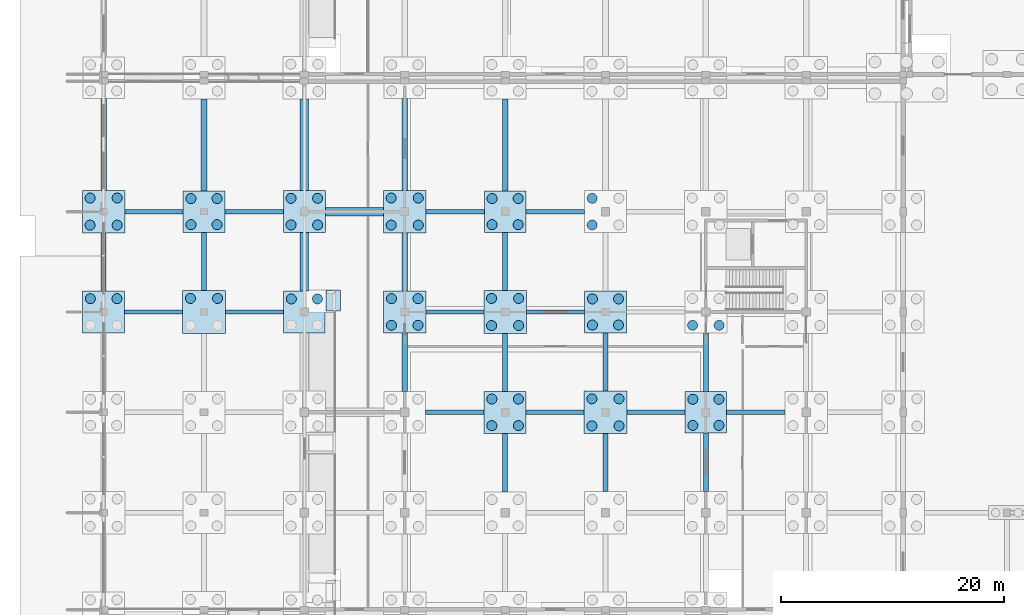
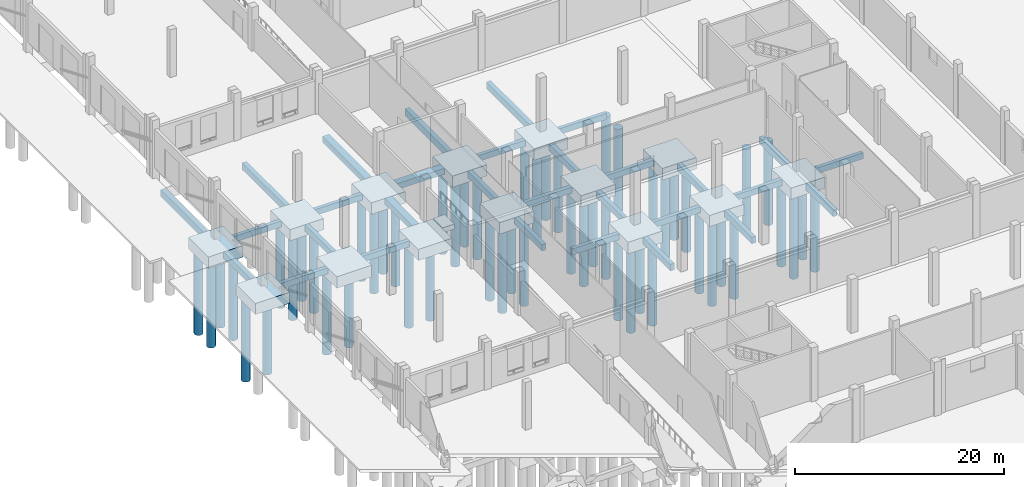
# One storey, part 8 of 99: 54 piles, 45 footings.
"""IFC4 building model written with IfcOpenShell, lengths in metres."""

from ifc_helpers import new_model, si_unit, direction, frame, origin, origin_2d, place, context, subcontext, project, spatial, polyline, rectangle, circle, outline, extrude, material, layer, layer_set, material_profile, profile_set, type_object, element, save


model = new_model("IFC4")

# Units and contexts
model_context = context("Model", 3, precision=1e-05, world=origin(), true_north=direction((0.0, 1.0)))
body_context = subcontext(model_context, "Body", "Model", "MODEL_VIEW")
ifc_project = project(units=[si_unit("LENGTHUNIT", "METRE"), si_unit("AREAUNIT", "SQUARE_METRE"), si_unit("VOLUMEUNIT", "CUBIC_METRE"), si_unit("PLANEANGLEUNIT", "RADIAN"), si_unit("MASSUNIT", "GRAM", prefix="KILO")], contexts=[model_context])

# Site, building, storey
site_placement = place(None, origin())
site = spatial("IfcSite", under=ifc_project, at=site_placement, CompositionType="ELEMENT")
building_placement = place(site_placement, origin())
building = spatial("IfcBuilding", under=site, at=building_placement, Name="Zacnel Wholesale Market", CompositionType="ELEMENT")
storey_placement = place(building_placement, origin())
storey = spatial("IfcBuildingStorey", under=building, at=storey_placement, Name="L01", CompositionType="ELEMENT", Elevation=0.0)

# Footings
ifc_material_1 = material(Name="Concrete C35/45", Category="concrete")
ifc_material_profile_1 = material_profile(ifc_material_1, rectangle(XDim=0.39990234375, YDim=0.699951171875, at=origin_2d()), Name="CT 400x700")
ifc_profile_set_1 = profile_set([ifc_material_profile_1], Name="Concrete C35/45")
footing_type_1 = type_object("IfcFootingType", Name="FTG-CT400X700", PredefinedType="FOOTING_BEAM", material=ifc_profile_set_1)
footing_1_placement = place(storey_placement, frame((28.8701171875, 66.0, -0.85009765625), z_axis=(1.0, 0.0, 0.0), x_axis=(0.0, 1.0, 0.0)))
element("IfcFooting", 1, at=footing_1_placement, inside=storey, type_object=footing_type_1, Name="Ground tie beam CT-X-0403", PredefinedType="FOOTING_BEAM", context=body_context, shape_type="SweptSolid", body=[
    extrude(rectangle(XDim=0.39990234375, YDim=0.699951171875, at=origin_2d()), origin(), (0.0, 0.0, 1.0), 5.239990234375),
])
footing_2_placement = place(storey_placement, frame((37.889892578125, 66.0, -0.85009765625), z_axis=(1.0, 0.0, 0.0), x_axis=(0.0, 1.0, 0.0)))
element("IfcFooting", 2, at=footing_2_placement, inside=storey, type_object=footing_type_1, Name="Ground tie beam CT-X-0404", PredefinedType="FOOTING_BEAM", context=body_context, shape_type="SweptSolid", body=[
    extrude(rectangle(XDim=0.39990234375, YDim=0.699951171875, at=origin_2d()), origin(), (0.0, 0.0, 1.0), 5.195068359375),
])
footing_3_placement = place(storey_placement, frame((46.9150390625, 66.0, -0.85009765625), z_axis=(1.0, 0.0, 0.0), x_axis=(0.0, 1.0, 0.0)))
element("IfcFooting", 3, at=footing_3_placement, inside=storey, type_object=footing_type_1, Name="Ground tie beam CT-X-0405", PredefinedType="FOOTING_BEAM", context=body_context, shape_type="SweptSolid", body=[
    extrude(rectangle(XDim=0.39990234375, YDim=0.699951171875, at=origin_2d()), origin(), (0.0, 0.0, 1.0), 5.21484375),
])
footing_4_placement = place(storey_placement, frame((55.8701171875, 66.0, -0.85009765625), z_axis=(1.0, 0.0, 0.0), x_axis=(0.0, 1.0, 0.0)))
element("IfcFooting", 4, at=footing_4_placement, inside=storey, type_object=footing_type_1, Name="Ground tie beam CT-X-0406", PredefinedType="FOOTING_BEAM", context=body_context, shape_type="SweptSolid", body=[
    extrude(rectangle(XDim=0.39990234375, YDim=0.699951171875, at=origin_2d()), origin(), (0.0, 0.0, 1.0), 5.239990234375),
])
footing_5_placement = place(storey_placement, frame((1.889892578125, 75.0, -0.85009765625), z_axis=(1.0, 0.0, 0.0), x_axis=(0.0, 1.0, 0.0)))
element("IfcFooting", 5, at=footing_5_placement, inside=storey, type_object=footing_type_1, Name="Ground tie beam CT-X-0411", PredefinedType="FOOTING_BEAM", context=body_context, shape_type="SweptSolid", body=[
    extrude(rectangle(XDim=0.39990234375, YDim=0.699951171875, at=origin_2d()), origin(), (0.0, 0.0, 1.0), 5.195068359375),
])
footing_6_placement = place(storey_placement, frame((10.9150390625, 75.0, -0.85009765625), z_axis=(1.0, 0.0, 0.0), x_axis=(0.0, 1.0, 0.0)))
element("IfcFooting", 6, at=footing_6_placement, inside=storey, type_object=footing_type_1, Name="Ground tie beam CT-X-0412", PredefinedType="FOOTING_BEAM", context=body_context, shape_type="SweptSolid", body=[
    extrude(rectangle(XDim=0.39990234375, YDim=0.699951171875, at=origin_2d()), origin(), (0.0, 0.0, 1.0), 5.21484375),
])
footing_7_placement = place(storey_placement, frame((28.889892578125, 75.0, -0.85009765625), z_axis=(1.0, 0.0, 0.0), x_axis=(0.0, 1.0, 0.0)))
element("IfcFooting", 7, at=footing_7_placement, inside=storey, type_object=footing_type_1, Name="Ground tie beam CT-X-0413", PredefinedType="FOOTING_BEAM", context=body_context, shape_type="SweptSolid", body=[
    extrude(rectangle(XDim=0.39990234375, YDim=0.699951171875, at=origin_2d()), origin(), (0.0, 0.0, 1.0), 5.195068359375),
])
for number, where, z_axis, x_axis, name in (
    (8, (37.9150390625, 75.0, -0.85009765625), (1.0, 0.0, 0.0), (0.0, 1.0, 0.0), "Ground tie beam CT-X-0414"),
    (9, (1.9150390625, 84.0, -0.85009765625), (1.0, 0.0, 0.0), (0.0, 1.0, 0.0), "Ground tie beam CT-X-0421"),
):
    element("IfcFooting", number, at=place(storey_placement, frame(where, z_axis=z_axis, x_axis=x_axis)), inside=storey, type_object=footing_type_1, Name=name, PredefinedType="FOOTING_BEAM", context=body_context, shape_type="SweptSolid", body=[
        extrude(rectangle(XDim=0.39990234375, YDim=0.699951171875, at=origin_2d()), origin(), (0.0, 0.0, 1.0), 5.21484375),
    ])
footing_8_placement = place(storey_placement, frame((10.8701171875, 84.0, -0.85009765625), z_axis=(1.0, 0.0, 0.0), x_axis=(0.0, 1.0, 0.0)))
element("IfcFooting", 10, at=footing_8_placement, inside=storey, type_object=footing_type_1, Name="Ground tie beam CT-X-0422", PredefinedType="FOOTING_BEAM", context=body_context, shape_type="SweptSolid", body=[
    extrude(rectangle(XDim=0.39990234375, YDim=0.699951171875, at=origin_2d()), origin(), (0.0, 0.0, 1.0), 5.239990234375),
])
footing_9_placement = place(storey_placement, frame((28.9150390625, 84.0, -0.85009765625), z_axis=(1.0, 0.0, 0.0), x_axis=(0.0, 1.0, 0.0)))
element("IfcFooting", 11, at=footing_9_placement, inside=storey, type_object=footing_type_1, Name="Ground tie beam CT-X-0423", PredefinedType="FOOTING_BEAM", context=body_context, shape_type="SweptSolid", body=[
    extrude(rectangle(XDim=0.39990234375, YDim=0.699951171875, at=origin_2d()), origin(), (0.0, 0.0, 1.0), 5.21484375),
])
footing_10_placement = place(storey_placement, frame((37.8701171875, 84.0, -0.85009765625), z_axis=(1.0, 0.0, 0.0), x_axis=(0.0, 1.0, 0.0)))
element("IfcFooting", 12, at=footing_10_placement, inside=storey, type_object=footing_type_1, Name="Ground tie beam CT-X-0424", PredefinedType="FOOTING_BEAM", context=body_context, shape_type="SweptSolid", body=[
    extrude(rectangle(XDim=0.39990234375, YDim=0.699951171875, at=origin_2d()), origin(), (0.0, 0.0, 1.0), 5.239990234375),
])
ifc_material_2 = material(Name="Concrete C35/45", Category="concrete")
ifc_material_profile_2 = material_profile(ifc_material_2, rectangle(XDim=0.449951171875, YDim=0.75, at=origin_2d()), Name="CT 450x750")
ifc_profile_set_2 = profile_set([ifc_material_profile_2], Name="Concrete C35/45")
footing_type_2 = type_object("IfcFootingType", Name="FTG-CT450X750", PredefinedType="FOOTING_BEAM", material=ifc_profile_set_2)
footing_11_placement = place(storey_placement, frame((0.0, 76.889892578125, -0.875), z_axis=(0.0, 1.0, 0.0), x_axis=(-1.0, 0.0, 0.0)))
element("IfcFooting", 13, at=footing_11_placement, inside=storey, type_object=footing_type_2, Name="Ground tie beam CT-Y-0007", PredefinedType="FOOTING_BEAM", context=body_context, shape_type="SweptSolid", body=[
    extrude(rectangle(XDim=0.449951171875, YDim=0.75, at=origin_2d()), origin(), (0.0, 0.0, 1.0), 5.195068359375),
])
footing_12_placement = place(storey_placement, frame((9.0, 76.9150390625, -0.875), z_axis=(0.0, 1.0, 0.0), x_axis=(-1.0, 0.0, 0.0)))
element("IfcFooting", 14, at=footing_12_placement, inside=storey, type_object=footing_type_2, Name="Ground tie beam CT-Y-0019", PredefinedType="FOOTING_BEAM", context=body_context, shape_type="SweptSolid", body=[
    extrude(rectangle(XDim=0.449951171875, YDim=0.75, at=origin_2d()), origin(), (0.0, 0.0, 1.0), 5.21484375),
])
footing_13_placement = place(storey_placement, frame((27.0, 67.8701171875, -0.875), z_axis=(0.0, 1.0, 0.0), x_axis=(-1.0, 0.0, 0.0)))
element("IfcFooting", 15, at=footing_13_placement, inside=storey, type_object=footing_type_2, Name="Ground tie beam CT-Y-0029", PredefinedType="FOOTING_BEAM", context=body_context, shape_type="SweptSolid", body=[
    extrude(rectangle(XDim=0.449951171875, YDim=0.75, at=origin_2d()), origin(), (0.0, 0.0, 1.0), 5.239990234375),
])
footing_14_placement = place(storey_placement, frame((27.0, 76.889892578125, -0.875), z_axis=(0.0, 1.0, 0.0), x_axis=(-1.0, 0.0, 0.0)))
element("IfcFooting", 16, at=footing_14_placement, inside=storey, type_object=footing_type_2, Name="Ground tie beam CT-Y-0030", PredefinedType="FOOTING_BEAM", context=body_context, shape_type="SweptSolid", body=[
    extrude(rectangle(XDim=0.449951171875, YDim=0.75, at=origin_2d()), origin(), (0.0, 0.0, 1.0), 5.195068359375),
])
footing_15_placement = place(storey_placement, frame((36.0, 58.8701171875, -0.875), z_axis=(0.0, 1.0, 0.0), x_axis=(-1.0, 0.0, 0.0)))
element("IfcFooting", 17, at=footing_15_placement, inside=storey, type_object=footing_type_2, Name="Ground tie beam CT-Y-0038", PredefinedType="FOOTING_BEAM", context=body_context, shape_type="SweptSolid", body=[
    extrude(rectangle(XDim=0.449951171875, YDim=0.75, at=origin_2d()), origin(), (0.0, 0.0, 1.0), 5.239990234375),
])
footing_16_placement = place(storey_placement, frame((36.0, 67.889892578125, -0.875), z_axis=(0.0, 1.0, 0.0), x_axis=(-1.0, 0.0, 0.0)))
element("IfcFooting", 18, at=footing_16_placement, inside=storey, type_object=footing_type_2, Name="Ground tie beam CT-Y-0039", PredefinedType="FOOTING_BEAM", context=body_context, shape_type="SweptSolid", body=[
    extrude(rectangle(XDim=0.449951171875, YDim=0.75, at=origin_2d()), origin(), (0.0, 0.0, 1.0), 5.195068359375),
])
footing_17_placement = place(storey_placement, frame((36.0, 76.9150390625, -0.875), z_axis=(0.0, 1.0, 0.0), x_axis=(-1.0, 0.0, 0.0)))
element("IfcFooting", 19, at=footing_17_placement, inside=storey, type_object=footing_type_2, Name="Ground tie beam CT-Y-0040", PredefinedType="FOOTING_BEAM", context=body_context, shape_type="SweptSolid", body=[
    extrude(rectangle(XDim=0.449951171875, YDim=0.75, at=origin_2d()), origin(), (0.0, 0.0, 1.0), 5.21484375),
])
footing_18_placement = place(storey_placement, frame((45.0, 58.889892578125, -0.875), z_axis=(0.0, 1.0, 0.0), x_axis=(-1.0, 0.0, 0.0)))
element("IfcFooting", 20, at=footing_18_placement, inside=storey, type_object=footing_type_2, Name="Ground tie beam CT-Y-0049", PredefinedType="FOOTING_BEAM", context=body_context, shape_type="SweptSolid", body=[
    extrude(rectangle(XDim=0.449951171875, YDim=0.75, at=origin_2d()), origin(), (0.0, 0.0, 1.0), 5.195068359375),
])
for number, where, z_axis, x_axis, name in (
    (21, (45.0, 67.9150390625, -0.875), (0.0, 1.0, 0.0), (-1.0, 0.0, 0.0), "Ground tie beam CT-Y-0050"),
    (22, (54.0, 58.9150390625, -0.875), (0.0, 1.0, 0.0), (-1.0, 0.0, 0.0), "Ground tie beam CT-Y-0065"),
):
    element("IfcFooting", number, at=place(storey_placement, frame(where, z_axis=z_axis, x_axis=x_axis)), inside=storey, type_object=footing_type_2, Name=name, PredefinedType="FOOTING_BEAM", context=body_context, shape_type="SweptSolid", body=[
        extrude(rectangle(XDim=0.449951171875, YDim=0.75, at=origin_2d()), origin(), (0.0, 0.0, 1.0), 5.21484375),
    ])
footing_19_placement = place(storey_placement, frame((54.0, 67.8701171875, -0.875), z_axis=(0.0, 1.0, 0.0), x_axis=(-1.0, 0.0, 0.0)))
element("IfcFooting", 23, at=footing_19_placement, inside=storey, type_object=footing_type_2, Name="Ground tie beam CT-Y-0066", PredefinedType="FOOTING_BEAM", context=body_context, shape_type="SweptSolid", body=[
    extrude(rectangle(XDim=0.449951171875, YDim=0.75, at=origin_2d()), origin(), (0.0, 0.0, 1.0), 5.239990234375),
])
ifc_material_3 = material(Name="Concrete C35/45", Category="concrete")
ifc_material_profile_3 = material_profile(ifc_material_3, rectangle(XDim=0.5, YDim=0.800048828125, at=origin_2d()), Name="CT 500x800")
ifc_profile_set_3 = profile_set([ifc_material_profile_3], Name="Concrete C35/45")
footing_type_3 = type_object("IfcFootingType", Name="FTG-CT500X800", PredefinedType="FOOTING_BEAM", material=ifc_profile_set_3)
footing_20_placement = place(storey_placement, frame((0.0, 85.9150390625, -0.89990234375), z_axis=(0.0, 1.0, 0.0), x_axis=(-1.0, 0.0, 0.0)))
element("IfcFooting", 24, at=footing_20_placement, inside=storey, type_object=footing_type_3, Name="Ground tie beam CT-Y-0008", PredefinedType="FOOTING_BEAM", context=body_context, shape_type="SweptSolid", body=[
    extrude(rectangle(XDim=0.5, YDim=0.800048828125, at=origin_2d()), origin(), (0.0, 0.0, 1.0), 8.21484375),
])
footing_21_placement = place(storey_placement, frame((9.0, 85.8701171875, -0.89990234375), z_axis=(0.0, 1.0, 0.0), x_axis=(-1.0, 0.0, 0.0)))
element("IfcFooting", 25, at=footing_21_placement, inside=storey, type_object=footing_type_3, Name="Ground tie beam CT-Y-0020", PredefinedType="FOOTING_BEAM", context=body_context, shape_type="SweptSolid", body=[
    extrude(rectangle(XDim=0.5, YDim=0.800048828125, at=origin_2d()), origin(), (0.0, 0.0, 1.0), 8.239990234375),
])
footing_22_placement = place(storey_placement, frame((27.0, 85.9150390625, -0.89990234375), z_axis=(0.0, 1.0, 0.0), x_axis=(-1.0, 0.0, 0.0)))
element("IfcFooting", 26, at=footing_22_placement, inside=storey, type_object=footing_type_3, Name="Ground tie beam CT-Y-0031", PredefinedType="FOOTING_BEAM", context=body_context, shape_type="SweptSolid", body=[
    extrude(rectangle(XDim=0.5, YDim=0.800048828125, at=origin_2d()), origin(), (0.0, 0.0, 1.0), 8.21484375),
])
footing_23_placement = place(storey_placement, frame((36.0, 85.8701171875, -0.89990234375), z_axis=(0.0, 1.0, 0.0), x_axis=(-1.0, 0.0, 0.0)))
element("IfcFooting", 27, at=footing_23_placement, inside=storey, type_object=footing_type_3, Name="Ground tie beam CT-Y-0041", PredefinedType="FOOTING_BEAM", context=body_context, shape_type="SweptSolid", body=[
    extrude(rectangle(XDim=0.5, YDim=0.800048828125, at=origin_2d()), origin(), (0.0, 0.0, 1.0), 8.239990234375),
])
ifc_material_4 = material(Name="Concrete C35/45", Category="concrete")
ifc_layer_1 = layer(ifc_material_4, 1.0)
ifc_layer_set_1 = layer_set([ifc_layer_1], Name="Concrete C35/45")
footing_type_4 = type_object("IfcFootingType", Name="FTG-PAD-2400X1800", PredefinedType="PAD_FOOTING", material=ifc_layer_set_1)
footing_24_placement = place(storey_placement, frame((0.0, 0.0, -1.10009765625)))
element("IfcFooting", 28, at=footing_24_placement, inside=storey, type_object=footing_type_4, Name="Accessible ramp RP-01 (RMP-DOCK-M) pad footing", PredefinedType="PAD_FOOTING", context=body_context, shape_type="SweptSolid", body=[
    extrude(outline(polyline([(21.25, 75.10009765625), (21.25, 76.949951171875), (19.949951171875, 76.949951171875), (19.949951171875, 75.10009765625), (21.25, 75.10009765625)])), origin(), (0.0, 0.0, 1.0), 0.60009765625),
])
footing_25_placement = place(storey_placement, frame((0.0, 0.0, -1.199951171875)))
element("IfcFooting", 29, at=footing_25_placement, inside=storey, type_object=footing_type_4, Name="Shear wall strip footing 02", PredefinedType="PAD_FOOTING", context=body_context, shape_type="SweptSolid", body=[
    extrude(outline(polyline([(19.89208984375, 83.625), (19.89208984375, 84.375), (25.0830078125, 84.375), (25.0830078125, 83.625), (19.89208984375, 83.625)])), origin(), (0.0, 0.0, 1.0), 0.699951171875),
])
ifc_material_5 = material(Name="Concrete C35/45", Category="concrete")
ifc_layer_2 = layer(ifc_material_5, 1.300048828125)
ifc_layer_set_2 = layer_set([ifc_layer_2], Name="Concrete C35/45")
footing_type_5 = type_object("IfcFootingType", Name="FTG-PC-3740X3740X1300", PredefinedType="PILE_CAP", material=ifc_layer_set_2)
for number, where, z_axis, x_axis, name in (
    (30, (9.0, 84.0, -1.7998046875), (0.0, 0.0, 1.0), (1.0, 0.0, 0.0), "Pile cap PC-03 (STR-PC-021)"),
    (31, (18.0, 75.0, -1.7998046875), (0.0, 0.0, 1.0), (1.0, 0.0, 0.0), "Pile cap PC-03 (STR-PC-033)"),
    (32, (54.0, 66.0, -1.7998046875), (0.0, 0.0, 1.0), (1.0, 0.0, 0.0), "Pile cap PC-03 (STR-PC-087)"),
):
    element("IfcFooting", number, at=place(storey_placement, frame(where, z_axis=z_axis, x_axis=x_axis)), inside=storey, type_object=footing_type_5, Name=name, PredefinedType="PILE_CAP", context=body_context, shape_type="SweptSolid", body=[
        extrude(rectangle(XDim=3.739990234375, YDim=3.739990234375, at=origin_2d()), origin(), (0.0, 0.0, 1.0), 1.300048828125),
    ])
ifc_material_6 = material(Name="Concrete C35/45", Category="concrete")
ifc_layer_3 = layer(ifc_material_6, 1.35009765625)
ifc_layer_set_3 = layer_set([ifc_layer_3], Name="Concrete C35/45")
footing_type_6 = type_object("IfcFootingType", Name="FTG-PC-3740X3740X1350", PredefinedType="PILE_CAP", material=ifc_layer_set_3)
for number, where, z_axis, x_axis, name in (
    (33, (36.0, 84.0, -1.85009765625), (0.0, 0.0, 1.0), (1.0, 0.0, 0.0), "Pile cap PC-06 (STR-PC-060)"),
    (34, (45.0, 75.0, -1.85009765625), (0.0, 0.0, 1.0), (1.0, 0.0, 0.0), "Pile cap PC-06 (STR-PC-072)"),
):
    element("IfcFooting", number, at=place(storey_placement, frame(where, z_axis=z_axis, x_axis=x_axis)), inside=storey, type_object=footing_type_6, Name=name, PredefinedType="PILE_CAP", context=body_context, shape_type="SweptSolid", body=[
        extrude(rectangle(XDim=3.739990234375, YDim=3.739990234375, at=origin_2d()), origin(), (0.0, 0.0, 1.0), 1.35009765625),
    ])
ifc_material_7 = material(Name="Concrete C35/45", Category="concrete")
ifc_layer_4 = layer(ifc_material_7, 1.300048828125)
ifc_layer_set_4 = layer_set([ifc_layer_4], Name="Concrete C35/45")
footing_type_7 = type_object("IfcFootingType", Name="FTG-PC-3780X3780X1300", PredefinedType="PILE_CAP", material=ifc_layer_set_4)
footing_26_placement = place(storey_placement, frame((0.0, 75.0, -1.7998046875), z_axis=(0.0, 0.0, 1.0), x_axis=(1.0, 0.0, 0.0)))
element("IfcFooting", 35, at=footing_26_placement, inside=storey, type_object=footing_type_7, Name="Pile cap PC-01 (STR-PC-007)", PredefinedType="PILE_CAP", context=body_context, shape_type="SweptSolid", body=[
    extrude(rectangle(XDim=3.780029296875, YDim=3.780029296875, at=origin_2d()), origin(), (0.0, 0.0, 1.0), 1.300048828125),
])
ifc_material_8 = material(Name="Concrete C35/45", Category="concrete")
ifc_layer_5 = layer(ifc_material_8, 1.35009765625)
ifc_layer_set_5 = layer_set([ifc_layer_5], Name="Concrete C35/45")
footing_type_8 = type_object("IfcFootingType", Name="FTG-PC-3780X3780X1350", PredefinedType="PILE_CAP", material=ifc_layer_set_5)
for number, where, z_axis, x_axis, name in (
    (36, (18.0, 84.0, -1.85009765625), (0.0, 0.0, 1.0), (1.0, 0.0, 0.0), "Pile cap PC-04 (STR-PC-034)"),
    (37, (27.0, 75.0, -1.85009765625), (0.0, 0.0, 1.0), (1.0, 0.0, 0.0), "Pile cap PC-04 (STR-PC-046)"),
    (38, (36.0, 66.0, -1.85009765625), (0.0, 0.0, 1.0), (1.0, 0.0, 0.0), "Pile cap PC-04 (STR-PC-058)"),
):
    element("IfcFooting", number, at=place(storey_placement, frame(where, z_axis=z_axis, x_axis=x_axis)), inside=storey, type_object=footing_type_8, Name=name, PredefinedType="PILE_CAP", context=body_context, shape_type="SweptSolid", body=[
        extrude(rectangle(XDim=3.780029296875, YDim=3.780029296875, at=origin_2d()), origin(), (0.0, 0.0, 1.0), 1.35009765625),
    ])
ifc_material_9 = material(Name="Concrete C35/45", Category="concrete")
ifc_layer_6 = layer(ifc_material_9, 1.300048828125)
ifc_layer_set_6 = layer_set([ifc_layer_6], Name="Concrete C35/45")
footing_type_9 = type_object("IfcFootingType", Name="FTG-PC-3830X3830X1300", PredefinedType="PILE_CAP", material=ifc_layer_set_6)
for number, where, z_axis, x_axis, name in (
    (39, (27.0, 84.0, -1.7998046875), (0.0, 0.0, 1.0), (1.0, 0.0, 0.0), "Pile cap PC-05 (STR-PC-047)"),
    (40, (36.0, 75.0, -1.7998046875), (0.0, 0.0, 1.0), (1.0, 0.0, 0.0), "Pile cap PC-05 (STR-PC-059)"),
    (41, (45.0, 66.0, -1.7998046875), (0.0, 0.0, 1.0), (1.0, 0.0, 0.0), "Pile cap PC-05 (STR-PC-071)"),
):
    element("IfcFooting", number, at=place(storey_placement, frame(where, z_axis=z_axis, x_axis=x_axis)), inside=storey, type_object=footing_type_9, Name=name, PredefinedType="PILE_CAP", context=body_context, shape_type="SweptSolid", body=[
        extrude(rectangle(XDim=3.830078125, YDim=3.830078125, at=origin_2d()), origin(), (0.0, 0.0, 1.0), 1.300048828125),
    ])
ifc_material_10 = material(Name="Concrete C35/45", Category="concrete")
ifc_layer_7 = layer(ifc_material_10, 1.35009765625)
ifc_layer_set_7 = layer_set([ifc_layer_7], Name="Concrete C35/45")
footing_type_10 = type_object("IfcFootingType", Name="FTG-PC-3830X3830X1350", PredefinedType="PILE_CAP", material=ifc_layer_set_7)
for number, where, z_axis, x_axis, name in (
    (42, (0.0, 84.0, -1.85009765625), (0.0, 0.0, 1.0), (1.0, 0.0, 0.0), "Pile cap PC-02 (STR-PC-008)"),
    (43, (9.0, 75.0, -1.85009765625), (0.0, 0.0, 1.0), (1.0, 0.0, 0.0), "Pile cap PC-02 (STR-PC-020)"),
):
    element("IfcFooting", number, at=place(storey_placement, frame(where, z_axis=z_axis, x_axis=x_axis)), inside=storey, type_object=footing_type_10, Name=name, PredefinedType="PILE_CAP", context=body_context, shape_type="SweptSolid", body=[
        extrude(rectangle(XDim=3.830078125, YDim=3.830078125, at=origin_2d()), origin(), (0.0, 0.0, 1.0), 1.35009765625),
    ])
ifc_material_11 = material(Name="Concrete C35/45", Category="concrete")
ifc_layer_8 = layer(ifc_material_11, 0.699951171875)
ifc_layer_set_8 = layer_set([ifc_layer_8], Name="Concrete C35/45")
footing_type_11 = type_object("IfcFootingType", Name="FTG-STRIP-750X700", PredefinedType="STRIP_FOOTING", material=ifc_layer_set_8)
footing_27_placement = place(storey_placement, frame((0.0, 0.0, -1.199951171875)))
element("IfcFooting", 44, at=footing_27_placement, inside=storey, type_object=footing_type_11, Name="Dock step strip footing 007", PredefinedType="STRIP_FOOTING", context=body_context, shape_type="SweptSolid", body=[
    extrude(outline(polyline([(18.375, 76.87109375), (18.375, 82.10888671875), (17.625, 82.10888671875), (17.625, 76.87109375), (18.375, 76.87109375)])), origin(), (0.0, 0.0, 1.0), 0.699951171875),
])
footing_28_placement = place(storey_placement, frame((0.0, 0.0, -1.199951171875)))
element("IfcFooting", 45, at=footing_28_placement, inside=storey, type_object=footing_type_11, Name="Dock step strip footing 008", PredefinedType="STRIP_FOOTING", context=body_context, shape_type="SweptSolid", body=[
    extrude(outline(polyline([(18.375, 85.89111328125), (18.375, 94.083984375), (17.625, 94.083984375), (17.625, 85.89111328125), (18.375, 85.89111328125)])), origin(), (0.0, 0.0, 1.0), 0.699951171875),
])

# Piles
ifc_material_12 = material(Name="Concrete C35/45", Category="concrete")
ifc_material_profile_4 = material_profile(ifc_material_12, circle(Radius=0.449951171875, at=origin_2d()), Name="BORED PILE D900")
ifc_profile_set_4 = profile_set([ifc_material_profile_4], Name="Concrete C35/45")
pile_type = type_object("IfcPileType", Name="PILE-BORED-900", PredefinedType="BORED", material=ifc_profile_set_4)
for number, where, z_axis, x_axis, name in (
    (46, (-1.1923828125, 76.1923828125, -1.699951171875), (0.0, 0.0, -1.0), (1.0, 0.0, 0.0), "Bored pile STR-PILE-007-02"),
    (47, (1.1923828125, 76.1923828125, -1.699951171875), (0.0, 0.0, -1.0), (1.0, 0.0, 0.0), "Bored pile STR-PILE-007-04"),
):
    element("IfcPile", number, at=place(storey_placement, frame(where, z_axis=z_axis, x_axis=x_axis)), inside=storey, type_object=pile_type, Name=name, PredefinedType="BORED", context=body_context, shape_type="SweptSolid", body=[
        extrude(circle(Radius=0.449951171875, at=origin_2d()), origin(), (0.0, 0.0, 1.0), 9.800048828125),
    ])
for number, where, z_axis, x_axis, name in (
    (48, (-1.215087890625, 82.784912109375, -1.75), (0.0, 0.0, -1.0), (1.0, 0.0, 0.0), "Bored pile STR-PILE-008-01"),
    (49, (-1.215087890625, 85.215087890625, -1.75), (0.0, 0.0, -1.0), (1.0, 0.0, 0.0), "Bored pile STR-PILE-008-02"),
    (50, (1.215087890625, 82.784912109375, -1.75), (0.0, 0.0, -1.0), (1.0, 0.0, 0.0), "Bored pile STR-PILE-008-03"),
    (51, (1.215087890625, 85.215087890625, -1.75), (0.0, 0.0, -1.0), (1.0, 0.0, 0.0), "Bored pile STR-PILE-008-04"),
    (52, (7.784912109375, 76.215087890625, -1.75), (0.0, 0.0, -1.0), (1.0, 0.0, 0.0), "Bored pile STR-PILE-020-02"),
    (53, (10.215087890625, 76.215087890625, -1.75), (0.0, 0.0, -1.0), (1.0, 0.0, 0.0), "Bored pile STR-PILE-020-04"),
):
    element("IfcPile", number, at=place(storey_placement, frame(where, z_axis=z_axis, x_axis=x_axis)), inside=storey, type_object=pile_type, Name=name, PredefinedType="BORED", context=body_context, shape_type="SweptSolid", body=[
        extrude(circle(Radius=0.449951171875, at=origin_2d()), origin(), (0.0, 0.0, 1.0), 9.75),
    ])
for number, where, z_axis, x_axis, name in (
    (54, (7.830078125, 82.830078125, -1.699951171875), (0.0, 0.0, -1.0), (1.0, 0.0, 0.0), "Bored pile STR-PILE-021-01"),
    (55, (7.830078125, 85.169921875, -1.699951171875), (0.0, 0.0, -1.0), (1.0, 0.0, 0.0), "Bored pile STR-PILE-021-02"),
    (56, (10.169921875, 82.830078125, -1.699951171875), (0.0, 0.0, -1.0), (1.0, 0.0, 0.0), "Bored pile STR-PILE-021-03"),
    (57, (10.169921875, 85.169921875, -1.699951171875), (0.0, 0.0, -1.0), (1.0, 0.0, 0.0), "Bored pile STR-PILE-021-04"),
    (58, (16.830078125, 76.169921875, -1.699951171875), (0.0, 0.0, -1.0), (1.0, 0.0, 0.0), "Bored pile STR-PILE-033-02"),
    (59, (19.169921875, 76.169921875, -1.699951171875), (0.0, 0.0, -1.0), (1.0, 0.0, 0.0), "Bored pile STR-PILE-033-04"),
):
    element("IfcPile", number, at=place(storey_placement, frame(where, z_axis=z_axis, x_axis=x_axis)), inside=storey, type_object=pile_type, Name=name, PredefinedType="BORED", context=body_context, shape_type="SweptSolid", body=[
        extrude(circle(Radius=0.449951171875, at=origin_2d()), origin(), (0.0, 0.0, 1.0), 9.800048828125),
    ])
for number, where, z_axis, x_axis, name in (
    (60, (16.8076171875, 82.8076171875, -1.75), (0.0, 0.0, -1.0), (1.0, 0.0, 0.0), "Bored pile STR-PILE-034-01"),
    (61, (16.8076171875, 85.1923828125, -1.75), (0.0, 0.0, -1.0), (1.0, 0.0, 0.0), "Bored pile STR-PILE-034-02"),
    (62, (19.1923828125, 82.8076171875, -1.75), (0.0, 0.0, -1.0), (1.0, 0.0, 0.0), "Bored pile STR-PILE-034-03"),
    (63, (19.1923828125, 85.1923828125, -1.75), (0.0, 0.0, -1.0), (1.0, 0.0, 0.0), "Bored pile STR-PILE-034-04"),
    (64, (25.8076171875, 73.8076171875, -1.75), (0.0, 0.0, -1.0), (1.0, 0.0, 0.0), "Bored pile STR-PILE-046-01"),
    (65, (25.8076171875, 76.1923828125, -1.75), (0.0, 0.0, -1.0), (1.0, 0.0, 0.0), "Bored pile STR-PILE-046-02"),
    (66, (28.1923828125, 73.8076171875, -1.75), (0.0, 0.0, -1.0), (1.0, 0.0, 0.0), "Bored pile STR-PILE-046-03"),
    (67, (28.1923828125, 76.1923828125, -1.75), (0.0, 0.0, -1.0), (1.0, 0.0, 0.0), "Bored pile STR-PILE-046-04"),
):
    element("IfcPile", number, at=place(storey_placement, frame(where, z_axis=z_axis, x_axis=x_axis)), inside=storey, type_object=pile_type, Name=name, PredefinedType="BORED", context=body_context, shape_type="SweptSolid", body=[
        extrude(circle(Radius=0.449951171875, at=origin_2d()), origin(), (0.0, 0.0, 1.0), 9.75),
    ])
for number, where, z_axis, x_axis, name in (
    (68, (25.784912109375, 82.784912109375, -1.699951171875), (0.0, 0.0, -1.0), (1.0, 0.0, 0.0), "Bored pile STR-PILE-047-01"),
    (69, (25.784912109375, 85.215087890625, -1.699951171875), (0.0, 0.0, -1.0), (1.0, 0.0, 0.0), "Bored pile STR-PILE-047-02"),
    (70, (28.215087890625, 82.784912109375, -1.699951171875), (0.0, 0.0, -1.0), (1.0, 0.0, 0.0), "Bored pile STR-PILE-047-03"),
    (71, (28.215087890625, 85.215087890625, -1.699951171875), (0.0, 0.0, -1.0), (1.0, 0.0, 0.0), "Bored pile STR-PILE-047-04"),
):
    element("IfcPile", number, at=place(storey_placement, frame(where, z_axis=z_axis, x_axis=x_axis)), inside=storey, type_object=pile_type, Name=name, PredefinedType="BORED", context=body_context, shape_type="SweptSolid", body=[
        extrude(circle(Radius=0.449951171875, at=origin_2d()), origin(), (0.0, 0.0, 1.0), 9.800048828125),
    ])
for number, where, z_axis, x_axis, name in (
    (72, (34.8076171875, 64.8076171875, -1.75), (0.0, 0.0, -1.0), (1.0, 0.0, 0.0), "Bored pile STR-PILE-058-01"),
    (73, (34.8076171875, 67.1923828125, -1.75), (0.0, 0.0, -1.0), (1.0, 0.0, 0.0), "Bored pile STR-PILE-058-02"),
    (74, (37.1923828125, 64.8076171875, -1.75), (0.0, 0.0, -1.0), (1.0, 0.0, 0.0), "Bored pile STR-PILE-058-03"),
    (75, (37.1923828125, 67.1923828125, -1.75), (0.0, 0.0, -1.0), (1.0, 0.0, 0.0), "Bored pile STR-PILE-058-04"),
):
    element("IfcPile", number, at=place(storey_placement, frame(where, z_axis=z_axis, x_axis=x_axis)), inside=storey, type_object=pile_type, Name=name, PredefinedType="BORED", context=body_context, shape_type="SweptSolid", body=[
        extrude(circle(Radius=0.449951171875, at=origin_2d()), origin(), (0.0, 0.0, 1.0), 9.75),
    ])
for number, where, z_axis, x_axis, name in (
    (76, (34.784912109375, 73.784912109375, -1.699951171875), (0.0, 0.0, -1.0), (1.0, 0.0, 0.0), "Bored pile STR-PILE-059-01"),
    (77, (34.784912109375, 76.215087890625, -1.699951171875), (0.0, 0.0, -1.0), (1.0, 0.0, 0.0), "Bored pile STR-PILE-059-02"),
    (78, (37.215087890625, 73.784912109375, -1.699951171875), (0.0, 0.0, -1.0), (1.0, 0.0, 0.0), "Bored pile STR-PILE-059-03"),
    (79, (37.215087890625, 76.215087890625, -1.699951171875), (0.0, 0.0, -1.0), (1.0, 0.0, 0.0), "Bored pile STR-PILE-059-04"),
):
    element("IfcPile", number, at=place(storey_placement, frame(where, z_axis=z_axis, x_axis=x_axis)), inside=storey, type_object=pile_type, Name=name, PredefinedType="BORED", context=body_context, shape_type="SweptSolid", body=[
        extrude(circle(Radius=0.449951171875, at=origin_2d()), origin(), (0.0, 0.0, 1.0), 9.800048828125),
    ])
for number, where, z_axis, x_axis, name in (
    (80, (34.830078125, 82.830078125, -1.75), (0.0, 0.0, -1.0), (1.0, 0.0, 0.0), "Bored pile STR-PILE-060-01"),
    (81, (34.830078125, 85.169921875, -1.75), (0.0, 0.0, -1.0), (1.0, 0.0, 0.0), "Bored pile STR-PILE-060-02"),
    (82, (37.169921875, 82.830078125, -1.75), (0.0, 0.0, -1.0), (1.0, 0.0, 0.0), "Bored pile STR-PILE-060-03"),
    (83, (37.169921875, 85.169921875, -1.75), (0.0, 0.0, -1.0), (1.0, 0.0, 0.0), "Bored pile STR-PILE-060-04"),
):
    element("IfcPile", number, at=place(storey_placement, frame(where, z_axis=z_axis, x_axis=x_axis)), inside=storey, type_object=pile_type, Name=name, PredefinedType="BORED", context=body_context, shape_type="SweptSolid", body=[
        extrude(circle(Radius=0.449951171875, at=origin_2d()), origin(), (0.0, 0.0, 1.0), 9.75),
    ])
for number, where, z_axis, x_axis, name in (
    (84, (43.784912109375, 64.784912109375, -1.699951171875), (0.0, 0.0, -1.0), (1.0, 0.0, 0.0), "Bored pile STR-PILE-071-01"),
    (85, (43.784912109375, 67.215087890625, -1.699951171875), (0.0, 0.0, -1.0), (1.0, 0.0, 0.0), "Bored pile STR-PILE-071-02"),
    (86, (46.215087890625, 64.784912109375, -1.699951171875), (0.0, 0.0, -1.0), (1.0, 0.0, 0.0), "Bored pile STR-PILE-071-03"),
    (87, (46.215087890625, 67.215087890625, -1.699951171875), (0.0, 0.0, -1.0), (1.0, 0.0, 0.0), "Bored pile STR-PILE-071-04"),
):
    element("IfcPile", number, at=place(storey_placement, frame(where, z_axis=z_axis, x_axis=x_axis)), inside=storey, type_object=pile_type, Name=name, PredefinedType="BORED", context=body_context, shape_type="SweptSolid", body=[
        extrude(circle(Radius=0.449951171875, at=origin_2d()), origin(), (0.0, 0.0, 1.0), 9.800048828125),
    ])
for number, where, z_axis, x_axis, name in (
    (88, (43.830078125, 73.830078125, -1.75), (0.0, 0.0, -1.0), (1.0, 0.0, 0.0), "Bored pile STR-PILE-072-01"),
    (89, (43.830078125, 76.169921875, -1.75), (0.0, 0.0, -1.0), (1.0, 0.0, 0.0), "Bored pile STR-PILE-072-02"),
    (90, (46.169921875, 73.830078125, -1.75), (0.0, 0.0, -1.0), (1.0, 0.0, 0.0), "Bored pile STR-PILE-072-03"),
    (91, (46.169921875, 76.169921875, -1.75), (0.0, 0.0, -1.0), (1.0, 0.0, 0.0), "Bored pile STR-PILE-072-04"),
):
    element("IfcPile", number, at=place(storey_placement, frame(where, z_axis=z_axis, x_axis=x_axis)), inside=storey, type_object=pile_type, Name=name, PredefinedType="BORED", context=body_context, shape_type="SweptSolid", body=[
        extrude(circle(Radius=0.449951171875, at=origin_2d()), origin(), (0.0, 0.0, 1.0), 9.75),
    ])
for number, where, z_axis, x_axis, name in (
    (92, (43.8076171875, 82.8076171875, -1.699951171875), (0.0, 0.0, -1.0), (1.0, 0.0, 0.0), "Bored pile STR-PILE-073-01"),
    (93, (43.8076171875, 85.1923828125, -1.699951171875), (0.0, 0.0, -1.0), (1.0, 0.0, 0.0), "Bored pile STR-PILE-073-02"),
    (94, (52.830078125, 64.830078125, -1.699951171875), (0.0, 0.0, -1.0), (1.0, 0.0, 0.0), "Bored pile STR-PILE-087-01"),
    (95, (52.830078125, 67.169921875, -1.699951171875), (0.0, 0.0, -1.0), (1.0, 0.0, 0.0), "Bored pile STR-PILE-087-02"),
    (96, (55.169921875, 64.830078125, -1.699951171875), (0.0, 0.0, -1.0), (1.0, 0.0, 0.0), "Bored pile STR-PILE-087-03"),
    (97, (55.169921875, 67.169921875, -1.699951171875), (0.0, 0.0, -1.0), (1.0, 0.0, 0.0), "Bored pile STR-PILE-087-04"),
):
    element("IfcPile", number, at=place(storey_placement, frame(where, z_axis=z_axis, x_axis=x_axis)), inside=storey, type_object=pile_type, Name=name, PredefinedType="BORED", context=body_context, shape_type="SweptSolid", body=[
        extrude(circle(Radius=0.449951171875, at=origin_2d()), origin(), (0.0, 0.0, 1.0), 9.800048828125),
    ])
for number, where, z_axis, x_axis, name in (
    (98, (52.8076171875, 73.8076171875, -1.75), (0.0, 0.0, -1.0), (1.0, 0.0, 0.0), "Bored pile STR-PILE-088-01"),
    (99, (55.1923828125, 73.8076171875, -1.75), (0.0, 0.0, -1.0), (1.0, 0.0, 0.0), "Bored pile STR-PILE-088-03"),
):
    element("IfcPile", number, at=place(storey_placement, frame(where, z_axis=z_axis, x_axis=x_axis)), inside=storey, type_object=pile_type, Name=name, PredefinedType="BORED", context=body_context, shape_type="SweptSolid", body=[
        extrude(circle(Radius=0.449951171875, at=origin_2d()), origin(), (0.0, 0.0, 1.0), 9.75),
    ])

save(model, "model.ifc")
